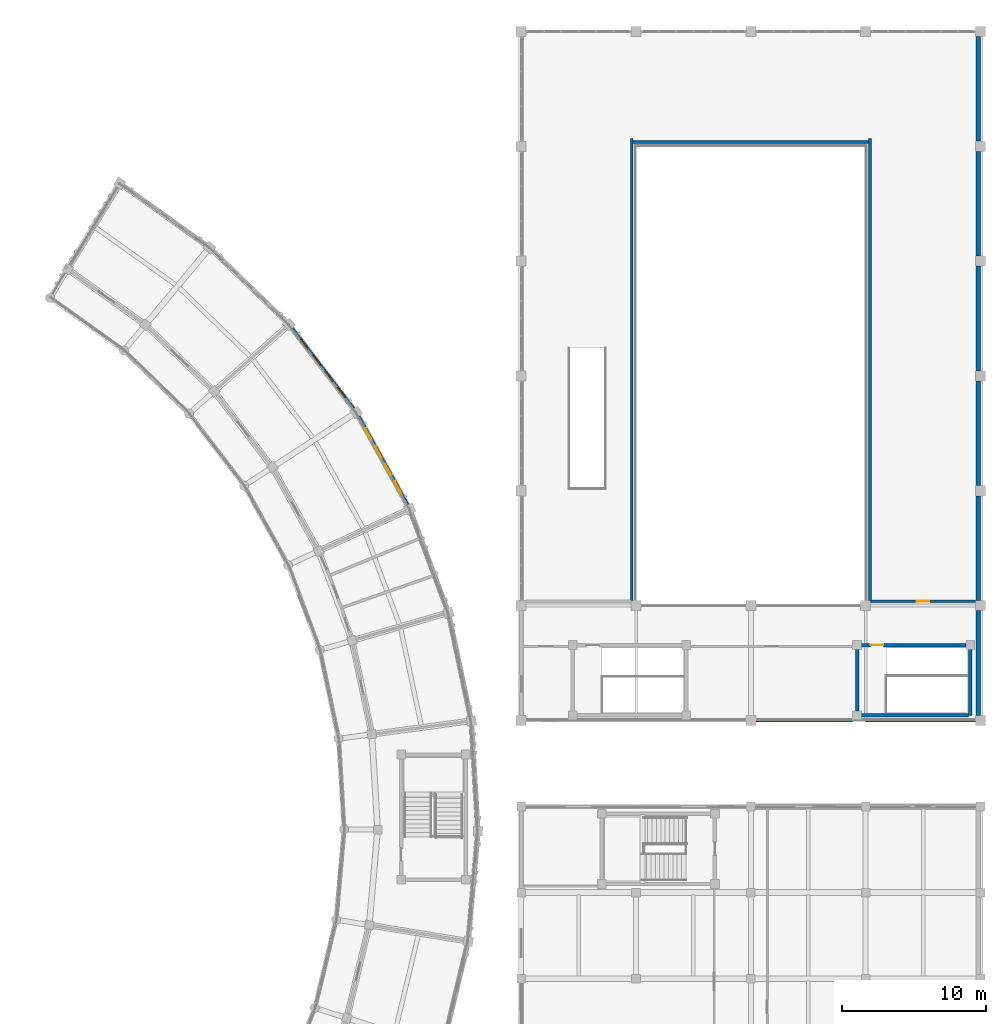
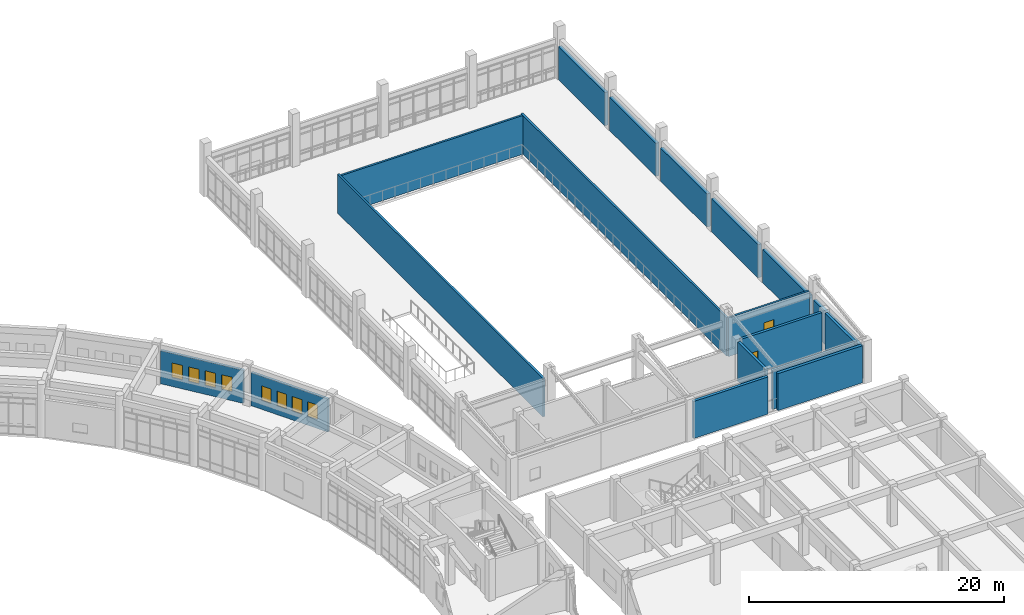
# One storey, part 137 of 159: 18 walls, 8 windows, 2 doors, 10 openings.
"""IFC4 building model written with IfcOpenShell, lengths in metres."""

from ifc_helpers import new_model, si_unit, direction, frame, frame_2d, origin, place, context, subcontext, project, spatial, rectangle, extrude, material, layer, layer_set, type_object, element, fill, save


model = new_model("IFC4")

# Units and contexts
model_context = context("Model", 3, precision=1e-05, world=origin(), true_north=direction((0.0, 1.0)))
body_context = subcontext(model_context, "Body", "Model", "MODEL_VIEW")
ifc_project = project(units=[si_unit("LENGTHUNIT", "METRE"), si_unit("AREAUNIT", "SQUARE_METRE"), si_unit("VOLUMEUNIT", "CUBIC_METRE"), si_unit("PLANEANGLEUNIT", "RADIAN"), si_unit("MASSUNIT", "GRAM", prefix="KILO")], contexts=[model_context])

# Site, building, storey
site_placement = place(None, origin())
site = spatial("IfcSite", under=ifc_project, at=site_placement, CompositionType="ELEMENT")
building_placement = place(site_placement, origin())
building = spatial("IfcBuilding", under=site, at=building_placement, Name="Celadon Cloister-Ring School", CompositionType="ELEMENT")
storey_placement = place(building_placement, frame((0.0, 0.0, 4.5)))
storey = spatial("IfcBuildingStorey", under=building, at=storey_placement, Name="L01", CompositionType="ELEMENT", Elevation=4.5)

# Walls
ifc_material_1 = material(Name="Rendered concrete blockwork", Category="masonry")
ifc_layer_1 = layer(ifc_material_1, 0.260009765625)
ifc_layer_set_1 = layer_set([ifc_layer_1], Name="Rendered concrete blockwork")
wall_type_1 = type_object("IfcWallType", Name="WT-EX2", PredefinedType="SOLIDWALL", material=ifc_layer_set_1)
wall_1_placement = place(storey_placement, frame((165.097900390625, 66.0, 0.0), z_axis=(0.0, 0.0, 1.0), x_axis=(-1.0, 0.0, 0.0)))
element("IfcWall", 1, at=wall_1_placement, inside=storey, type_object=wall_type_1, Name="Exterior Wall 0394", PredefinedType="SOLIDWALL", context=body_context, shape_type="SweptSolid", body=[
    extrude(rectangle(XDim=6.745849609375, YDim=0.260009765625, at=frame_2d((3.373046875, 0.0))), origin(), (0.0, 0.0, 1.0), 3.550048828125),
])
wall_2_placement = place(storey_placement, frame((173.64794921875, 66.0, 0.0), z_axis=(0.0, 0.0, 1.0), x_axis=(-1.0, 0.0, 0.0)))
element("IfcWall", 2, at=wall_2_placement, inside=storey, type_object=wall_type_1, Name="Exterior Wall 0395", PredefinedType="SOLIDWALL", context=body_context, shape_type="SweptSolid", body=[
    extrude(rectangle(XDim=7.64794921875, YDim=0.260009765625, at=frame_2d((3.823974609375, 0.0))), origin(), (0.0, 0.0, 1.0), 3.550048828125),
])

# Wall, openings, windows
ifc_material_2 = material(Name="Perforated terracotta clay brick masonry", Category="masonry")
ifc_layer_2 = layer(ifc_material_2, 0.219970703125)
ifc_layer_set_2 = layer_set([ifc_layer_2], Name="Perforated terracotta clay brick masonry")
wall_type_2 = type_object("IfcWallType", Name="WT-EX4", PredefinedType="SOLIDWALL", material=ifc_layer_set_2)
wall_3_placement = place(storey_placement, frame((130.678955078125, 87.173095703125, 0.0), z_axis=(0.0, 0.0, 1.0), x_axis=(0.483873000068, -0.87513822897, 0.0)))
wall_3 = element("IfcWall", 3, at=wall_3_placement, inside=storey, type_object=wall_type_2, Name="Exterior Wall 0095", PredefinedType="SOLIDWALL", context=body_context, shape_type="SweptSolid", body=[
    extrude(rectangle(XDim=7.031005859375, YDim=0.219970703125, at=frame_2d((3.515625, 0.0))), origin(), (0.0, 0.0, 1.0), 3.172119140625),
])
opening_1_placement = place(wall_3_placement, frame((0.9560546875, 0.0, 0.85009765625)))
opening_1 = element("IfcOpeningElement", 4, at=opening_1_placement, cuts=wall_3, Name="Opening WN-21", PredefinedType="OPENING", context=body_context, shape_type="SweptSolid", body=[
    extrude(rectangle(XDim=0.89990234375, YDim=1.39990234375, at=frame_2d((0.449951171875, 0.699951171875))), frame((0.0, 0.1201171875, 0.0), z_axis=(0.0, -1.0, 0.0), x_axis=(1.0, 0.0, 0.0)), (0.0, 0.0, 1.0), 0.239990234375),
])
opening_2_placement = place(wall_3_placement, frame((2.362060546875, 0.0, 0.85009765625)))
opening_2 = element("IfcOpeningElement", 5, at=opening_2_placement, cuts=wall_3, Name="Opening WN-21", PredefinedType="OPENING", context=body_context, shape_type="SweptSolid", body=[
    extrude(rectangle(XDim=0.89990234375, YDim=1.39990234375, at=frame_2d((0.449951171875, 0.699951171875))), frame((0.0, 0.1201171875, 0.0), z_axis=(0.0, -1.0, 0.0), x_axis=(1.0, 0.0, 0.0)), (0.0, 0.0, 1.0), 0.239990234375),
])
opening_3_placement = place(wall_3_placement, frame((3.76904296875, 0.0, 0.85009765625)))
opening_3 = element("IfcOpeningElement", 6, at=opening_3_placement, cuts=wall_3, Name="Opening WN-21", PredefinedType="OPENING", context=body_context, shape_type="SweptSolid", body=[
    extrude(rectangle(XDim=0.89990234375, YDim=1.39990234375, at=frame_2d((0.449951171875, 0.699951171875))), frame((0.0, 0.1201171875, 0.0), z_axis=(0.0, -1.0, 0.0), x_axis=(1.0, 0.0, 0.0)), (0.0, 0.0, 1.0), 0.239990234375),
])
opening_4_placement = place(wall_3_placement, frame((5.175048828125, 0.0, 0.85009765625)))
opening_4 = element("IfcOpeningElement", 7, at=opening_4_placement, cuts=wall_3, Name="Opening WN-21", PredefinedType="OPENING", context=body_context, shape_type="SweptSolid", body=[
    extrude(rectangle(XDim=0.89990234375, YDim=1.39990234375, at=frame_2d((0.449951171875, 0.699951171875))), frame((0.0, 0.1201171875, 0.0), z_axis=(0.0, -1.0, 0.0), x_axis=(1.0, 0.0, 0.0)), (0.0, 0.0, 1.0), 0.239990234375),
])
ifc_material_3 = material(Name="Tempered laminated insulating glass", Category="glass")
window_type = type_object("IfcWindowType", Name="WN-21", PartitioningType="SINGLE_PANEL", PredefinedType="WINDOW", material=ifc_material_3)
window_1_placement = place(opening_1_placement, origin())
window_1 = element("IfcWindow", 8, at=window_1_placement, inside=storey, type_object=window_type, Name="Window 0255", OverallHeight=1.39990234375, OverallWidth=0.89990234375, PartitioningType="SINGLE_PANEL", PredefinedType="WINDOW", context=body_context, shape_type="SweptSolid", body=[
    extrude(rectangle(XDim=0.89990234375, YDim=1.39990234375, at=frame_2d((0.449951171875, 0.699951171875))), frame((0.0, 0.030029296875, 0.0), z_axis=(0.0, -1.0, 0.0), x_axis=(1.0, 0.0, 0.0)), (0.0, 0.0, 1.0), 0.06005859375),
])
fill(opening_1, window_1)
window_2_placement = place(opening_2_placement, origin())
window_2 = element("IfcWindow", 9, at=window_2_placement, inside=storey, type_object=window_type, Name="Window 0256", OverallHeight=1.39990234375, OverallWidth=0.89990234375, PartitioningType="SINGLE_PANEL", PredefinedType="WINDOW", context=body_context, shape_type="SweptSolid", body=[
    extrude(rectangle(XDim=0.89990234375, YDim=1.39990234375, at=frame_2d((0.449951171875, 0.699951171875))), frame((0.0, 0.030029296875, 0.0), z_axis=(0.0, -1.0, 0.0), x_axis=(1.0, 0.0, 0.0)), (0.0, 0.0, 1.0), 0.06005859375),
])
fill(opening_2, window_2)
window_3_placement = place(opening_3_placement, origin())
window_3 = element("IfcWindow", 10, at=window_3_placement, inside=storey, type_object=window_type, Name="Window 0257", OverallHeight=1.39990234375, OverallWidth=0.89990234375, PartitioningType="SINGLE_PANEL", PredefinedType="WINDOW", context=body_context, shape_type="SweptSolid", body=[
    extrude(rectangle(XDim=0.89990234375, YDim=1.39990234375, at=frame_2d((0.449951171875, 0.699951171875))), frame((0.0, 0.030029296875, 0.0), z_axis=(0.0, -1.0, 0.0), x_axis=(1.0, 0.0, 0.0)), (0.0, 0.0, 1.0), 0.06005859375),
])
fill(opening_3, window_3)
window_4_placement = place(opening_4_placement, origin())
window_4 = element("IfcWindow", 11, at=window_4_placement, inside=storey, type_object=window_type, Name="Window 0258", OverallHeight=1.39990234375, OverallWidth=0.89990234375, PartitioningType="SINGLE_PANEL", PredefinedType="WINDOW", context=body_context, shape_type="SweptSolid", body=[
    extrude(rectangle(XDim=0.89990234375, YDim=1.39990234375, at=frame_2d((0.449951171875, 0.699951171875))), frame((0.0, 0.030029296875, 0.0), z_axis=(0.0, -1.0, 0.0), x_axis=(1.0, 0.0, 0.0)), (0.0, 0.0, 1.0), 0.06005859375),
])
fill(opening_4, window_4)

wall_4_placement = place(storey_placement, frame((126.035888671875, 93.31689453125, 0.0), z_axis=(0.0, 0.0, 1.0), x_axis=(0.60805685998, -0.793893478391, 0.0)))
wall_4 = element("IfcWall", 12, at=wall_4_placement, inside=storey, type_object=wall_type_2, Name="Exterior Wall 0096", PredefinedType="SOLIDWALL", context=body_context, shape_type="SweptSolid", body=[
    extrude(rectangle(XDim=7.032470703125, YDim=0.219970703125, at=frame_2d((3.51611328125, 0.0))), origin(), (0.0, 0.0, 1.0), 3.172119140625),
])
opening_5_placement = place(wall_4_placement, frame((0.9560546875, 0.0, 0.85009765625)))
opening_5 = element("IfcOpeningElement", 13, at=opening_5_placement, cuts=wall_4, Name="Opening WN-21", PredefinedType="OPENING", context=body_context, shape_type="SweptSolid", body=[
    extrude(rectangle(XDim=0.89990234375, YDim=1.39990234375, at=frame_2d((0.449951171875, 0.699951171875))), frame((0.0, 0.1201171875, 0.0), z_axis=(0.0, -1.0, 0.0), x_axis=(1.0, 0.0, 0.0)), (0.0, 0.0, 1.0), 0.239990234375),
])
opening_6_placement = place(wall_4_placement, frame((2.363037109375, 0.0, 0.85009765625)))
opening_6 = element("IfcOpeningElement", 14, at=opening_6_placement, cuts=wall_4, Name="Opening WN-21", PredefinedType="OPENING", context=body_context, shape_type="SweptSolid", body=[
    extrude(rectangle(XDim=0.89990234375, YDim=1.39990234375, at=frame_2d((0.449951171875, 0.699951171875))), frame((0.0, 0.1201171875, 0.0), z_axis=(0.0, -1.0, 0.0), x_axis=(1.0, 0.0, 0.0)), (0.0, 0.0, 1.0), 0.239990234375),
])
opening_7_placement = place(wall_4_placement, frame((3.76904296875, 0.0, 0.85009765625)))
opening_7 = element("IfcOpeningElement", 15, at=opening_7_placement, cuts=wall_4, Name="Opening WN-21", PredefinedType="OPENING", context=body_context, shape_type="SweptSolid", body=[
    extrude(rectangle(XDim=0.89990234375, YDim=1.39990234375, at=frame_2d((0.449951171875, 0.699951171875))), frame((0.0, 0.1201171875, 0.0), z_axis=(0.0, -1.0, 0.0), x_axis=(1.0, 0.0, 0.0)), (0.0, 0.0, 1.0), 0.239990234375),
])
opening_8_placement = place(wall_4_placement, frame((5.176025390625, 0.0, 0.85009765625)))
opening_8 = element("IfcOpeningElement", 16, at=opening_8_placement, cuts=wall_4, Name="Opening WN-21", PredefinedType="OPENING", context=body_context, shape_type="SweptSolid", body=[
    extrude(rectangle(XDim=0.89990234375, YDim=1.39990234375, at=frame_2d((0.449951171875, 0.699951171875))), frame((0.0, 0.1201171875, 0.0), z_axis=(0.0, -1.0, 0.0), x_axis=(1.0, 0.0, 0.0)), (0.0, 0.0, 1.0), 0.239990234375),
])
window_5_placement = place(opening_5_placement, origin())
window_5 = element("IfcWindow", 17, at=window_5_placement, inside=storey, type_object=window_type, Name="Window 0259", OverallHeight=1.39990234375, OverallWidth=0.89990234375, PartitioningType="SINGLE_PANEL", PredefinedType="WINDOW", context=body_context, shape_type="SweptSolid", body=[
    extrude(rectangle(XDim=0.89990234375, YDim=1.39990234375, at=frame_2d((0.449951171875, 0.699951171875))), frame((0.0, 0.030029296875, 0.0), z_axis=(0.0, -1.0, 0.0), x_axis=(1.0, 0.0, 0.0)), (0.0, 0.0, 1.0), 0.06005859375),
])
fill(opening_5, window_5)
window_6_placement = place(opening_6_placement, origin())
window_6 = element("IfcWindow", 18, at=window_6_placement, inside=storey, type_object=window_type, Name="Window 0260", OverallHeight=1.39990234375, OverallWidth=0.89990234375, PartitioningType="SINGLE_PANEL", PredefinedType="WINDOW", context=body_context, shape_type="SweptSolid", body=[
    extrude(rectangle(XDim=0.89990234375, YDim=1.39990234375, at=frame_2d((0.449951171875, 0.699951171875))), frame((0.0, 0.030029296875, 0.0), z_axis=(0.0, -1.0, 0.0), x_axis=(1.0, 0.0, 0.0)), (0.0, 0.0, 1.0), 0.06005859375),
])
fill(opening_6, window_6)
window_7_placement = place(opening_7_placement, origin())
window_7 = element("IfcWindow", 19, at=window_7_placement, inside=storey, type_object=window_type, Name="Window 0261", OverallHeight=1.39990234375, OverallWidth=0.89990234375, PartitioningType="SINGLE_PANEL", PredefinedType="WINDOW", context=body_context, shape_type="SweptSolid", body=[
    extrude(rectangle(XDim=0.89990234375, YDim=1.39990234375, at=frame_2d((0.449951171875, 0.699951171875))), frame((0.0, 0.030029296875, 0.0), z_axis=(0.0, -1.0, 0.0), x_axis=(1.0, 0.0, 0.0)), (0.0, 0.0, 1.0), 0.06005859375),
])
fill(opening_7, window_7)
window_8_placement = place(opening_8_placement, origin())
window_8 = element("IfcWindow", 20, at=window_8_placement, inside=storey, type_object=window_type, Name="Window 0262", OverallHeight=1.39990234375, OverallWidth=0.89990234375, PartitioningType="SINGLE_PANEL", PredefinedType="WINDOW", context=body_context, shape_type="SweptSolid", body=[
    extrude(rectangle(XDim=0.89990234375, YDim=1.39990234375, at=frame_2d((0.449951171875, 0.699951171875))), frame((0.0, 0.030029296875, 0.0), z_axis=(0.0, -1.0, 0.0), x_axis=(1.0, 0.0, 0.0)), (0.0, 0.0, 1.0), 0.06005859375),
])
fill(opening_8, window_8)

# Walls
ifc_material_4 = material(Name="Concrete C40/50", Category="concrete")
ifc_layer_3 = layer(ifc_material_4, 0.300048828125)
ifc_layer_set_3 = layer_set([ifc_layer_3], Name="Concrete C40/50")
wall_type_3 = type_object("IfcWallType", Name="WT-FW1", PredefinedType="SHEAR", material=ifc_layer_set_3)
for number, where, z_axis, x_axis, name in (
    (21, (173.85009765625, 113.64794921875, 0.0), (0.0, 0.0, 1.0), (0.0, -1.0, 0.0), "Exterior Wall 0386"),
    (22, (173.85009765625, 105.64794921875, 0.0), (0.0, 0.0, 1.0), (0.0, -1.0, 0.0), "Exterior Wall 0387"),
    (23, (173.85009765625, 97.64794921875, 0.0), (0.0, 0.0, 1.0), (0.0, -1.0, 0.0), "Exterior Wall 0388"),
    (24, (173.85009765625, 89.64794921875, 0.0), (0.0, 0.0, 1.0), (0.0, -1.0, 0.0), "Exterior Wall 0389"),
    (25, (173.85009765625, 81.64794921875, 0.0), (0.0, 0.0, 1.0), (0.0, -1.0, 0.0), "Exterior Wall 0390"),
    (26, (173.85009765625, 73.64794921875, 0.0), (0.0, 0.0, 1.0), (0.0, -1.0, 0.0), "Exterior Wall 0391"),
):
    element("IfcWall", number, at=place(storey_placement, frame(where, z_axis=z_axis, x_axis=x_axis)), inside=storey, type_object=wall_type_3, Name=name, PredefinedType="SHEAR", context=body_context, shape_type="SweptSolid", body=[
        extrude(rectangle(XDim=7.2958984375, YDim=0.300048828125, at=frame_2d((3.64794921875, 0.0))), origin(), (0.0, 0.0, 1.0), 3.172119140625),
    ])

# Wall, opening, door
ifc_material_5 = material(Name="Plastered hollow concrete masonry", Category="masonry")
ifc_layer_4 = layer(ifc_material_5, 0.179931640625)
ifc_layer_set_4 = layer_set([ifc_layer_4], Name="Plastered hollow concrete masonry")
wall_type_4 = type_object("IfcWallType", Name="WT-PT2", PredefinedType="PARTITIONING", material=ifc_layer_set_4)
wall_5_placement = place(storey_placement, frame((173.657958984375, 74.300048828125, 0.0), z_axis=(0.0, 0.0, 1.0), x_axis=(-1.0, 0.0, 0.0)))
wall_5 = element("IfcWall", 27, at=wall_5_placement, inside=storey, type_object=wall_type_4, Name="Interior Wall 0946", PredefinedType="PARTITIONING", context=body_context, shape_type="SweptSolid", body=[
    extrude(rectangle(XDim=7.31591796875, YDim=0.179931640625, at=frame_2d((3.657958984375, 0.0))), origin(), (0.0, 0.0, 1.0), 3.699951171875),
])
opening_9_placement = place(wall_5_placement, frame((3.218017578125, 0.0, 0.0)))
opening_9 = element("IfcOpeningElement", 28, at=opening_9_placement, cuts=wall_5, Name="Opening D-0343", PredefinedType="OPENING", context=body_context, shape_type="SweptSolid", body=[
    extrude(rectangle(XDim=0.8798828125, YDim=2.10009765625, at=frame_2d((0.43994140625, 1.050048828125))), frame((0.0, 0.10009765625, 0.0), z_axis=(0.0, -1.0, 0.0), x_axis=(1.0, 0.0, 0.0)), (0.0, 0.0, 1.0), 0.199951171875),
])
ifc_material_6 = material(Name="Solid-core fire-rated hardwood leaf", Category="wood")
door_type = type_object("IfcDoorType", Name="DT-01", OperationType="NOTDEFINED", PredefinedType="DOOR", material=ifc_material_6)
door_1_placement = place(opening_9_placement, origin())
door_1 = element("IfcDoor", 29, at=door_1_placement, inside=storey, type_object=door_type, Name="Door D-0343", OperationType="SINGLE_SWING_LEFT", OverallHeight=2.10009765625, OverallWidth=0.8798828125, PredefinedType="DOOR", context=body_context, shape_type="SweptSolid", body=[
    extrude(rectangle(XDim=0.8798828125, YDim=2.10009765625, at=frame_2d((0.43994140625, 1.050048828125))), frame((0.0, 0.02490234375, 0.0), z_axis=(0.0, -1.0, 0.0), x_axis=(1.0, 0.0, 0.0)), (0.0, 0.0, 1.0), 0.050048828125),
])
fill(opening_9, door_1)

# Walls
for number, where, z_axis, x_axis, name in (
    (30, (166.300048828125, 74.342041015625, 0.0), (0.0, 0.0, 1.0), (0.0, 1.0, 0.0), "Interior Wall 0947"),
    (31, (149.699951171875, 106.5400390625, 0.0), (0.0, 0.0, 1.0), (0.0, -1.0, 0.0), "Interior Wall 0948"),
):
    element("IfcWall", number, at=place(storey_placement, frame(where, z_axis=z_axis, x_axis=x_axis)), inside=storey, type_object=wall_type_4, Name=name, PredefinedType="PARTITIONING", context=body_context, shape_type="SweptSolid", body=[
        extrude(rectangle(XDim=32.197998046875, YDim=0.179931640625, at=frame_2d((16.09912109375, 0.0))), origin(), (0.0, 0.0, 1.0), 3.699951171875),
    ])
wall_6_placement = place(storey_placement, frame((166.20703125, 106.300048828125, 0.0), z_axis=(0.0, 0.0, 1.0), x_axis=(-1.0, 0.0, 0.0)))
element("IfcWall", 32, at=wall_6_placement, inside=storey, type_object=wall_type_4, Name="Interior Wall 0950", PredefinedType="PARTITIONING", context=body_context, shape_type="SweptSolid", body=[
    extrude(rectangle(XDim=16.4140625, YDim=0.179931640625, at=frame_2d((8.20703125, 0.0))), origin(), (0.0, 0.0, 1.0), 3.699951171875),
])
ifc_material_7 = material(Name="Concrete C40/50", Category="concrete")
ifc_layer_5 = layer(ifc_material_7, 0.239990234375)
ifc_layer_set_5 = layer_set([ifc_layer_5], Name="Concrete C40/50")
wall_type_5 = type_object("IfcWallType", Name="WT-SH1", PredefinedType="SHEAR", material=ifc_layer_set_5)
wall_7_placement = place(storey_placement, frame((165.39990234375, 66.64208984375, 0.0), z_axis=(0.0, 0.0, 1.0), x_axis=(0.0, 1.0, 0.0)))
element("IfcWall", 33, at=wall_7_placement, inside=storey, type_object=wall_type_5, Name="Interior Wall 0125", PredefinedType="SHEAR", context=body_context, shape_type="SweptSolid", body=[
    extrude(rectangle(XDim=4.31591796875, YDim=0.239990234375, at=frame_2d((2.157958984375, 0.0))), origin(), (0.0, 0.0, 1.0), 3.739990234375),
])
wall_8_placement = place(storey_placement, frame((173.300048828125, 70.9580078125, 0.0), z_axis=(0.0, 0.0, 1.0), x_axis=(0.0, -1.0, 0.0)))
element("IfcWall", 34, at=wall_8_placement, inside=storey, type_object=wall_type_5, Name="Interior Wall 0126", PredefinedType="SHEAR", context=body_context, shape_type="SweptSolid", body=[
    extrude(rectangle(XDim=4.60791015625, YDim=0.239990234375, at=frame_2d((2.303955078125, 0.0))), origin(), (0.0, 0.0, 1.0), 3.739990234375),
])
wall_9_placement = place(storey_placement, frame((173.177001953125, 66.35009765625, 0.0), z_axis=(0.0, 0.0, 1.0), x_axis=(-1.0, 0.0, 0.0)))
element("IfcWall", 35, at=wall_9_placement, inside=storey, type_object=wall_type_5, Name="Interior Wall 0127", PredefinedType="SHEAR", context=body_context, shape_type="SweptSolid", body=[
    extrude(rectangle(XDim=7.485107421875, YDim=0.239990234375, at=frame_2d((3.74267578125, 0.0))), origin(), (0.0, 0.0, 1.0), 3.739990234375),
])

# Wall, opening, door
wall_10_placement = place(storey_placement, frame((173.008056640625, 71.25, 0.0), z_axis=(0.0, 0.0, 1.0), x_axis=(-1.0, 0.0, 0.0)))
wall_10 = element("IfcWall", 36, at=wall_10_placement, inside=storey, type_object=wall_type_5, Name="Interior Wall 0128", PredefinedType="SHEAR", context=body_context, shape_type="SweptSolid", body=[
    extrude(rectangle(XDim=7.316162109375, YDim=0.239990234375, at=frame_2d((3.658203125, 0.0))), origin(), (0.0, 0.0, 1.0), 3.739990234375),
])
opening_10_placement = place(wall_10_placement, frame((5.779052734375, 0.0, 0.0)))
opening_10 = element("IfcOpeningElement", 37, at=opening_10_placement, cuts=wall_10, Name="Opening D-0064", PredefinedType="OPENING", context=body_context, shape_type="SweptSolid", body=[
    extrude(rectangle(XDim=0.8798828125, YDim=2.10009765625, at=frame_2d((0.43994140625, 1.050048828125))), frame((0.0, 0.1298828125, 0.0), z_axis=(0.0, -1.0, 0.0), x_axis=(1.0, 0.0, 0.0)), (0.0, 0.0, 1.0), 0.260009765625),
])
door_2_placement = place(opening_10_placement, origin())
door_2 = element("IfcDoor", 38, at=door_2_placement, inside=storey, type_object=door_type, Name="Door D-0064", OperationType="SINGLE_SWING_RIGHT", OverallHeight=2.10009765625, OverallWidth=0.8798828125, PredefinedType="DOOR", context=body_context, shape_type="SweptSolid", body=[
    extrude(rectangle(XDim=0.8798828125, YDim=2.10009765625, at=frame_2d((0.43994140625, 1.050048828125))), frame((0.0, 0.02490234375, 0.0), z_axis=(0.0, -1.0, 0.0), x_axis=(1.0, 0.0, 0.0)), (0.0, 0.0, 1.0), 0.050048828125),
])
fill(opening_10, door_2)

save(model, "model.ifc")
